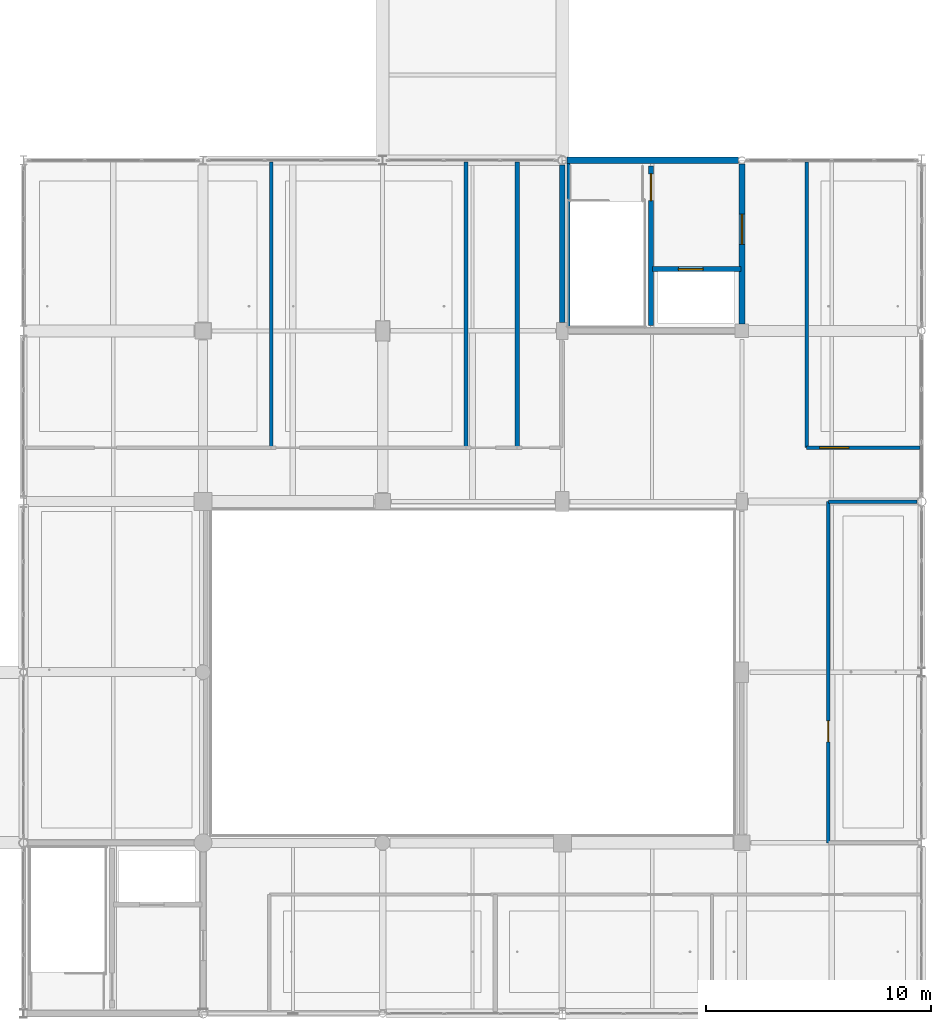
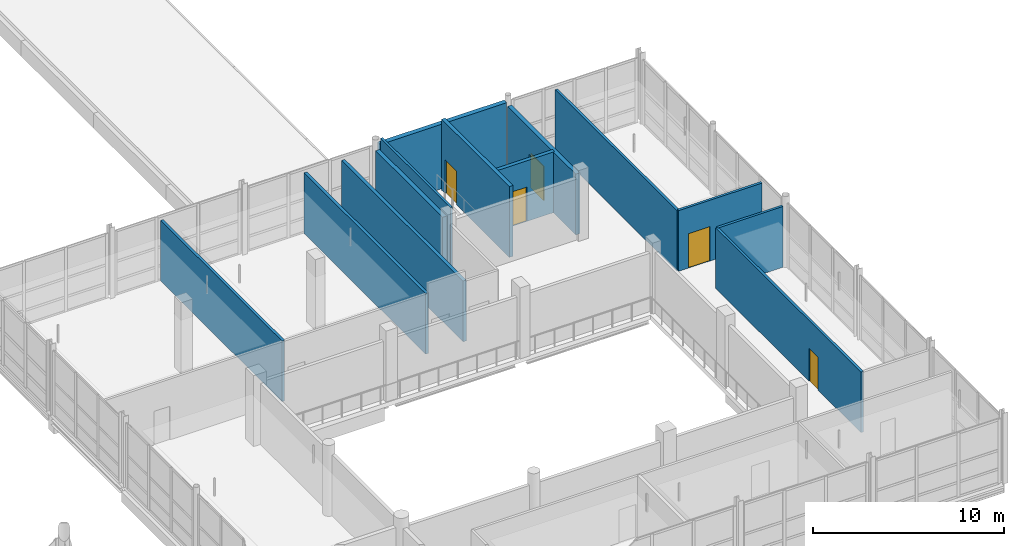
# One storey, part 74 of 107: 13 walls, 5 doors, 5 openings.
"""IFC4 building model written with IfcOpenShell, lengths in metres."""

from ifc_helpers import new_model, si_unit, direction, frame, frame_2d, origin, place, context, subcontext, project, spatial, rectangle, extrude, material, layer, layer_set, type_object, element, fill, save


model = new_model("IFC4")

# Units and contexts
model_context = context("Model", 3, precision=1e-05, world=origin(), true_north=direction((0.0, 1.0)))
body_context = subcontext(model_context, "Body", "Model", "MODEL_VIEW")
ifc_project = project(units=[si_unit("LENGTHUNIT", "METRE"), si_unit("AREAUNIT", "SQUARE_METRE"), si_unit("VOLUMEUNIT", "CUBIC_METRE"), si_unit("PLANEANGLEUNIT", "RADIAN"), si_unit("MASSUNIT", "GRAM", prefix="KILO")], contexts=[model_context])

# Site, building, storey
site_placement = place(None, origin())
site = spatial("IfcSite", under=ifc_project, at=site_placement, CompositionType="ELEMENT")
building_placement = place(site_placement, origin())
building = spatial("IfcBuilding", under=site, at=building_placement, Name="Khelvaren Railside Concert Hall", CompositionType="ELEMENT")
storey_placement = place(building_placement, frame((0.0, 0.0, 15.0)))
storey = spatial("IfcBuildingStorey", under=building, at=storey_placement, Name="L03", CompositionType="ELEMENT", Elevation=15.0)

# Walls
ifc_material_1 = material(Name="Concrete C40/50", Category="concrete")
ifc_layer_1 = layer(ifc_material_1, 0.139892578125)
ifc_layer_set_1 = layer_set([ifc_layer_1], Name="Concrete C40/50")
wall_type_1 = type_object("IfcWallType", Name="CW17", PredefinedType="SOLIDWALL", material=ifc_layer_set_1)
wall_1_placement = place(storey_placement, frame((168.27490234375, 30.550048828125, 0.0), z_axis=(0.0, 0.0, 1.0), x_axis=(0.0, 1.0, 0.0)))
element("IfcWall", 1, at=wall_1_placement, inside=storey, type_object=wall_type_1, Name="Core Shaft Structural Liner Wall ST-04-L03", PredefinedType="SOLIDWALL", context=body_context, shape_type="SweptSolid", body=[
    extrude(rectangle(XDim=7.300048828125, YDim=0.139892578125, at=frame_2d((3.64990234375, 0.0))), origin(), (0.0, 0.0, 1.0), 4.530029296875),
])
ifc_layer_2 = layer(ifc_material_1, 0.25)
ifc_layer_set_2 = layer_set([ifc_layer_2], Name="Concrete C40/50")
wall_type_2 = type_object("IfcWallType", Name="CW82", PredefinedType="SOLIDWALL", material=ifc_layer_set_2)
wall_2_placement = place(storey_placement, frame((168.0, 30.77490234375, 0.0), z_axis=(0.0, 0.0, 1.0), x_axis=(0.0, 1.0, 0.0)))
element("IfcWall", 2, at=wall_2_placement, inside=storey, type_object=wall_type_2, Name="Core Enclosure Wall CWALL-ST-04-L03-W", PredefinedType="SOLIDWALL", context=body_context, shape_type="SweptSolid", body=[
    extrude(rectangle(XDim=7.02197265625, YDim=0.25, at=frame_2d((3.510986328125, 0.0))), origin(), (0.0, 0.0, 1.0), 3.8798828125),
])

# Wall, opening, door
wall_3_placement = place(storey_placement, frame((176.0, 30.699951171875, 0.0), z_axis=(0.0, 0.0, 1.0), x_axis=(0.0, 1.0, 0.0)))
wall_3 = element("IfcWall", 3, at=wall_3_placement, inside=storey, type_object=wall_type_2, Name="Core Enclosure Wall CWALL-ST-04-L03-E", PredefinedType="SOLIDWALL", context=body_context, shape_type="SweptSolid", body=[
    extrude(rectangle(XDim=7.137939453125, YDim=0.25, at=frame_2d((3.56884765625, 0.0))), origin(), (0.0, 0.0, 1.0), 3.8798828125),
])
opening_1_placement = place(wall_3_placement, frame((3.550048828125, 0.0, 0.0)))
opening_1 = element("IfcOpeningElement", 4, at=opening_1_placement, cuts=wall_3, Name="Opening FDR34", PredefinedType="OPENING", context=body_context, shape_type="SweptSolid", body=[
    extrude(rectangle(XDim=1.35009765625, YDim=2.199951171875, at=frame_2d((0.675048828125, 1.10009765625))), frame((0.0, 0.135009765625, 0.0), z_axis=(0.0, -1.0, 0.0), x_axis=(1.0, 0.0, 0.0)), (0.0, 0.0, 1.0), 0.27001953125),
])
ifc_material_2 = material(Name="Acoustic fire-rated timber-core steel frame door", Category="steel")
door_type_1 = type_object("IfcDoorType", Name="FDR34", OperationType="NOTDEFINED", PredefinedType="DOOR", material=ifc_material_2)
door_1_placement = place(opening_1_placement, origin())
door_1 = element("IfcDoor", 5, at=door_1_placement, inside=storey, type_object=door_type_1, Name="Interior Door DR-ST-04-L03-LOB", OperationType="SINGLE_SWING_LEFT", OverallHeight=2.199951171875, OverallWidth=1.35009765625, PredefinedType="DOOR", context=body_context, shape_type="SweptSolid", body=[
    extrude(rectangle(XDim=1.35009765625, YDim=2.199951171875, at=frame_2d((0.675048828125, 1.10009765625))), frame((0.0, 0.02490234375, 0.0), z_axis=(0.0, -1.0, 0.0), x_axis=(1.0, 0.0, 0.0)), (0.0, 0.0, 1.0), 0.050048828125),
])
fill(opening_1, door_1)

ifc_layer_3 = layer(ifc_material_1, 0.219970703125)
ifc_layer_set_3 = layer_set([ifc_layer_3], Name="Concrete C40/50")
wall_type_3 = type_object("IfcWallType", Name="CW97", PredefinedType="SOLIDWALL", material=ifc_layer_set_3)
wall_4_placement = place(storey_placement, frame((171.949951171875, 30.64990234375, 0.0), z_axis=(0.0, 0.0, 1.0), x_axis=(0.0, 1.0, 0.0)))
wall_4 = element("IfcWall", 6, at=wall_4_placement, inside=storey, type_object=wall_type_3, Name="Core Enclosure Wall CWALL-ST-04-L03-MID", PredefinedType="SOLIDWALL", context=body_context, shape_type="SweptSolid", body=[
    extrude(rectangle(XDim=7.10009765625, YDim=0.219970703125, at=frame_2d((3.550048828125, 0.0))), origin(), (0.0, 0.0, 1.0), 4.530029296875),
])
opening_2_placement = place(wall_4_placement, frame((5.550048828125, 0.0, 0.0)))
opening_2 = element("IfcOpeningElement", 7, at=opening_2_placement, cuts=wall_4, Name="Opening FDR17", PredefinedType="OPENING", context=body_context, shape_type="SweptSolid", body=[
    extrude(rectangle(XDim=1.199951171875, YDim=2.14990234375, at=frame_2d((0.60009765625, 1.074951171875))), frame((0.0, 0.119873046875, 0.0), z_axis=(0.0, -1.0, 0.0), x_axis=(1.0, 0.0, 0.0)), (0.0, 0.0, 1.0), 0.239990234375),
])
door_type_2 = type_object("IfcDoorType", Name="FDR17", OperationType="NOTDEFINED", PredefinedType="DOOR", material=ifc_material_2)
door_2_placement = place(opening_2_placement, origin())
door_2 = element("IfcDoor", 8, at=door_2_placement, inside=storey, type_object=door_type_2, Name="Interior Door DR-ST-04-L03-ST", OperationType="SINGLE_SWING_RIGHT", OverallHeight=2.14990234375, OverallWidth=1.199951171875, PredefinedType="DOOR", context=body_context, shape_type="SweptSolid", body=[
    extrude(rectangle(XDim=1.199951171875, YDim=2.14990234375, at=frame_2d((0.60009765625, 1.074951171875))), frame((0.0, 0.02490234375, 0.0), z_axis=(0.0, -1.0, 0.0), x_axis=(1.0, 0.0, 0.0)), (0.0, 0.0, 1.0), 0.050048828125),
])
fill(opening_2, door_2)

wall_5_placement = place(storey_placement, frame((172.02001953125, 33.14990234375, 0.0), z_axis=(0.0, 0.0, 1.0), x_axis=(1.0, 0.0, 0.0)))
wall_5 = element("IfcWall", 9, at=wall_5_placement, inside=storey, type_object=wall_type_3, Name="Core Enclosure Wall CWALL-ST-04-L03-SHF", PredefinedType="SOLIDWALL", context=body_context, shape_type="SweptSolid", body=[
    extrude(rectangle(XDim=3.929931640625, YDim=0.219970703125, at=frame_2d((1.96484375, 0.0))), origin(), (0.0, 0.0, 1.0), 3.8798828125),
])
opening_3_placement = place(wall_5_placement, frame((1.14990234375, 0.0, 0.0)))
opening_3 = element("IfcOpeningElement", 10, at=opening_3_placement, cuts=wall_5, Name="Opening LD-PL-03", PredefinedType="OPENING", context=body_context, shape_type="SweptSolid", body=[
    extrude(rectangle(XDim=1.10009765625, YDim=2.199951171875, at=frame_2d((0.550048828125, 1.10009765625))), frame((0.0, 0.119873046875, 0.0), z_axis=(0.0, -1.0, 0.0), x_axis=(1.0, 0.0, 0.0)), (0.0, 0.0, 1.0), 0.239990234375),
])
ifc_material_3 = material(Name="Fire-rated brushed stainless steel landing door", Category="steel")
door_type_3 = type_object("IfcDoorType", Name="LD96", OperationType="DOUBLE_DOOR_SLIDING", PredefinedType="DOOR", material=ifc_material_3)
door_3_placement = place(opening_3_placement, origin())
door_3 = element("IfcDoor", 11, at=door_3_placement, inside=storey, type_object=door_type_3, Name="Lift Landing Door LD-PL-03-L03", OperationType="DOUBLE_DOOR_SLIDING", OverallHeight=2.199951171875, OverallWidth=1.10009765625, PredefinedType="DOOR", context=body_context, shape_type="SweptSolid", body=[
    extrude(rectangle(XDim=1.10009765625, YDim=2.199951171875, at=frame_2d((0.550048828125, 1.10009765625))), frame((0.0, 0.02490234375, 0.0), z_axis=(0.0, -1.0, 0.0), x_axis=(1.0, 0.0, 0.0)), (0.0, 0.0, 1.0), 0.050048828125),
])
fill(opening_3, door_3)

# Walls
ifc_material_4 = material(Name="Board-marked architectural concrete C40/50", Category="concrete")
ifc_layer_4 = layer(ifc_material_4, 0.280029296875)
ifc_layer_set_4 = layer_set([ifc_layer_4], Name="Board-marked architectural concrete C40/50")
wall_type_4 = type_object("IfcWallType", Name="EW17", PredefinedType="SOLIDWALL", material=ifc_layer_set_4)
wall_6_placement = place(storey_placement, frame((168.203125, 38.0, 0.0), z_axis=(0.0, 0.0, 1.0), x_axis=(1.0, 0.0, 0.0)))
element("IfcWall", 12, at=wall_6_placement, inside=storey, type_object=wall_type_4, Name="V2 L03 Exterior Concrete Wall N-168", PredefinedType="SOLIDWALL", context=body_context, shape_type="SweptSolid", body=[
    extrude(rectangle(XDim=7.634765625, YDim=0.280029296875, at=frame_2d((3.8173828125, 0.0))), origin(), (0.0, 0.0, 1.0), 4.1201171875),
])
ifc_material_5 = material(Name="Acoustic double-stud gypsum partition", Category="gypsum")
ifc_layer_5 = layer(ifc_material_5, 0.179931640625)
ifc_layer_set_5 = layer_set([ifc_layer_5], Name="Acoustic double-stud gypsum partition")
wall_type_5 = type_object("IfcWallType", Name="PT53", PredefinedType="PARTITIONING", material=ifc_layer_set_5)
wall_7_placement = place(storey_placement, frame((163.712890625, 25.199951171875, 0.0), z_axis=(0.0, 0.0, 1.0), x_axis=(0.0, 1.0, 0.0)))
element("IfcWall", 13, at=wall_7_placement, inside=storey, type_object=wall_type_5, Name="Acoustic Partition Wall PW-V2-L03-N-D02", PredefinedType="PARTITIONING", context=body_context, shape_type="SweptSolid", body=[
    extrude(rectangle(XDim=12.719970703125, YDim=0.179931640625, at=frame_2d((6.35986328125, 0.0))), origin(), (0.0, 0.0, 1.0), 3.8798828125),
])

# Wall, opening, door
ifc_layer_6 = layer(ifc_material_5, 0.14990234375)
ifc_layer_set_6 = layer_set([ifc_layer_6], Name="Acoustic double-stud gypsum partition")
wall_type_6 = type_object("IfcWallType", Name="PT72", PredefinedType="PARTITIONING", material=ifc_layer_set_6)
wall_8_placement = place(storey_placement, frame((179.85009765625, 7.60009765625, 0.0), z_axis=(0.0, 0.0, 1.0), x_axis=(0.0, 1.0, 0.0)))
wall_8 = element("IfcWall", 14, at=wall_8_placement, inside=storey, type_object=wall_type_6, Name="Acoustic Partition Wall PW-V2-L03-ALCE-W", PredefinedType="PARTITIONING", context=body_context, shape_type="SweptSolid", body=[
    extrude(rectangle(XDim=15.199951171875, YDim=0.14990234375, at=frame_2d((7.60009765625, 0.0))), origin(), (0.0, 0.0, 1.0), 3.8798828125),
])
opening_4_placement = place(wall_8_placement, frame((4.5, 0.0, 0.0)))
opening_4 = element("IfcOpeningElement", 15, at=opening_4_placement, cuts=wall_8, Name="Opening IDR30", PredefinedType="OPENING", context=body_context, shape_type="SweptSolid", body=[
    extrude(rectangle(XDim=0.929931640625, YDim=2.10009765625, at=frame_2d((0.46484375, 1.050048828125))), frame((0.0, 0.0849609375, 0.0), z_axis=(0.0, -1.0, 0.0), x_axis=(1.0, 0.0, 0.0)), (0.0, 0.0, 1.0), 0.169921875),
])
ifc_material_6 = material(Name="Solid oak acoustic studio door", Category="wood")
door_type_4 = type_object("IfcDoorType", Name="IDR30", OperationType="NOTDEFINED", PredefinedType="DOOR", material=ifc_material_6)
door_4_placement = place(opening_4_placement, origin())
door_4 = element("IfcDoor", 16, at=door_4_placement, inside=storey, type_object=door_type_4, Name="Interior Door DR-V2-L03-ALCE", OperationType="SINGLE_SWING_RIGHT", OverallHeight=2.10009765625, OverallWidth=0.929931640625, PredefinedType="DOOR", context=body_context, shape_type="SweptSolid", body=[
    extrude(rectangle(XDim=0.929931640625, YDim=2.10009765625, at=frame_2d((0.46484375, 1.050048828125))), frame((0.0, 0.02490234375, 0.0), z_axis=(0.0, -1.0, 0.0), x_axis=(1.0, 0.0, 0.0)), (0.0, 0.0, 1.0), 0.050048828125),
])
fill(opening_4, door_4)

# Wall
wall_9_placement = place(storey_placement, frame((179.85009765625, 22.800048828125, 0.0), z_axis=(0.0, 0.0, 1.0), x_axis=(1.0, 0.0, 0.0)))
element("IfcWall", 17, at=wall_9_placement, inside=storey, type_object=wall_type_6, Name="Acoustic Partition Wall PW-V2-L03-ALCE-N", PredefinedType="PARTITIONING", context=body_context, shape_type="SweptSolid", body=[
    extrude(rectangle(XDim=3.94677734375, YDim=0.14990234375, at=frame_2d((1.973388671875, 0.0))), origin(), (0.0, 0.0, 1.0), 3.8798828125),
])

# Wall, opening, door
wall_10_placement = place(storey_placement, frame((178.8798828125, 25.199951171875, 0.0), z_axis=(0.0, 0.0, 1.0), x_axis=(1.0, 0.0, 0.0)))
wall_10 = element("IfcWall", 18, at=wall_10_placement, inside=storey, type_object=wall_type_6, Name="Acoustic Partition Wall PW-V2-L03-NE-C01", PredefinedType="PARTITIONING", context=body_context, shape_type="SweptSolid", body=[
    extrude(rectangle(XDim=5.0400390625, YDim=0.14990234375, at=frame_2d((2.52001953125, 0.0))), origin(), (0.0, 0.0, 1.0), 3.8798828125),
])
opening_5_placement = place(wall_10_placement, frame((0.580078125, 0.0, 0.0)))
opening_5 = element("IfcOpeningElement", 19, at=opening_5_placement, cuts=wall_10, Name="Opening IDR18", PredefinedType="OPENING", context=body_context, shape_type="SweptSolid", body=[
    extrude(rectangle(XDim=1.300048828125, YDim=2.199951171875, at=frame_2d((0.64990234375, 1.10009765625))), frame((0.0, 0.0849609375, 0.0), z_axis=(0.0, -1.0, 0.0), x_axis=(1.0, 0.0, 0.0)), (0.0, 0.0, 1.0), 0.169921875),
])
door_type_5 = type_object("IfcDoorType", Name="IDR18", OperationType="NOTDEFINED", PredefinedType="DOOR", material=ifc_material_6)
door_5_placement = place(opening_5_placement, origin())
door_5 = element("IfcDoor", 20, at=door_5_placement, inside=storey, type_object=door_type_5, Name="Interior Door DR-V2-L03-NE-01", OperationType="SINGLE_SWING_RIGHT", OverallHeight=2.199951171875, OverallWidth=1.300048828125, PredefinedType="DOOR", context=body_context, shape_type="SweptSolid", body=[
    extrude(rectangle(XDim=1.300048828125, YDim=2.199951171875, at=frame_2d((0.64990234375, 1.10009765625))), frame((0.0, 0.02490234375, 0.0), z_axis=(0.0, -1.0, 0.0), x_axis=(1.0, 0.0, 0.0)), (0.0, 0.0, 1.0), 0.050048828125),
])
fill(opening_5, door_5)

# Walls
wall_11_placement = place(storey_placement, frame((178.8798828125, 25.199951171875, 0.0), z_axis=(0.0, 0.0, 1.0), x_axis=(0.0, 1.0, 0.0)))
element("IfcWall", 21, at=wall_11_placement, inside=storey, type_object=wall_type_6, Name="Acoustic Partition Wall PW-V2-L03-NE-W0", PredefinedType="PARTITIONING", context=body_context, shape_type="SweptSolid", body=[
    extrude(rectangle(XDim=12.719970703125, YDim=0.14990234375, at=frame_2d((6.35986328125, 0.0))), origin(), (0.0, 0.0, 1.0), 3.8798828125),
])
ifc_layer_7 = layer(ifc_material_5, 0.199951171875)
ifc_layer_set_7 = layer_set([ifc_layer_7], Name="Acoustic double-stud gypsum partition")
wall_type_7 = type_object("IfcWallType", Name="PT75", PredefinedType="PARTITIONING", material=ifc_layer_set_7)
wall_12_placement = place(storey_placement, frame((165.986083984375, 25.199951171875, 0.0), z_axis=(0.0, 0.0, 1.0), x_axis=(0.0, 1.0, 0.0)))
element("IfcWall", 22, at=wall_12_placement, inside=storey, type_object=wall_type_7, Name="Acoustic Partition Wall PW-V2-L03-N-D03", PredefinedType="PARTITIONING", context=body_context, shape_type="SweptSolid", body=[
    extrude(rectangle(XDim=12.719970703125, YDim=0.199951171875, at=frame_2d((6.35986328125, 0.0))), origin(), (0.0, 0.0, 1.0), 3.8798828125),
])
ifc_layer_8 = layer(ifc_material_5, 0.159912109375)
ifc_layer_set_8 = layer_set([ifc_layer_8], Name="Acoustic double-stud gypsum partition")
wall_type_8 = type_object("IfcWallType", Name="PT97", PredefinedType="PARTITIONING", material=ifc_layer_set_8)
wall_13_placement = place(storey_placement, frame((155.032958984375, 25.199951171875, 0.0), z_axis=(0.0, 0.0, 1.0), x_axis=(0.0, 1.0, 0.0)))
element("IfcWall", 23, at=wall_13_placement, inside=storey, type_object=wall_type_8, Name="Acoustic Partition Wall PW-V2-L03-N-D01", PredefinedType="PARTITIONING", context=body_context, shape_type="SweptSolid", body=[
    extrude(rectangle(XDim=12.719970703125, YDim=0.159912109375, at=frame_2d((6.35986328125, 0.0))), origin(), (0.0, 0.0, 1.0), 3.8798828125),
])

save(model, "model.ifc")
